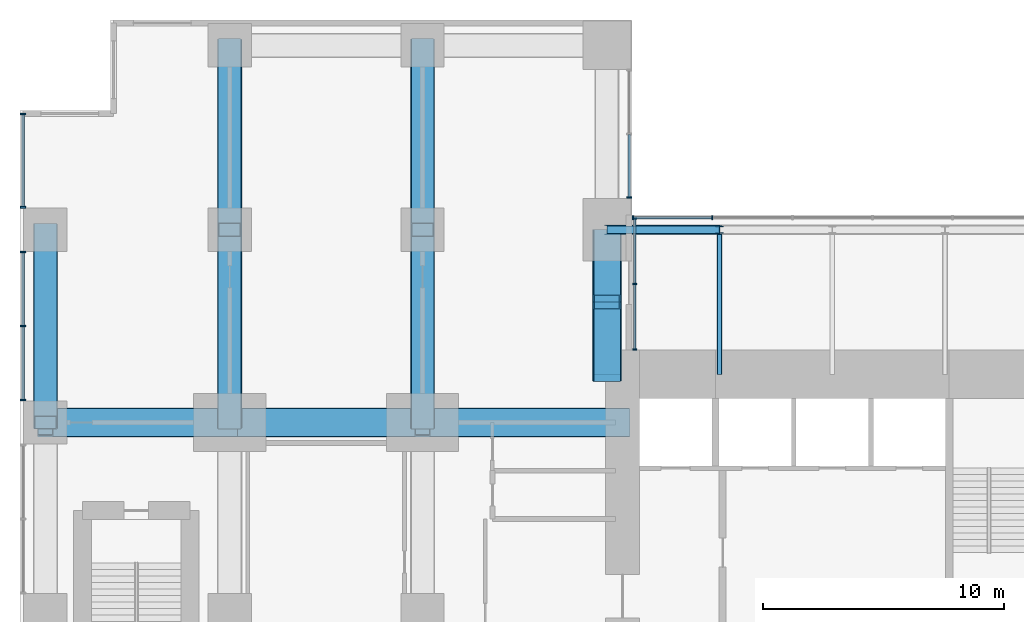
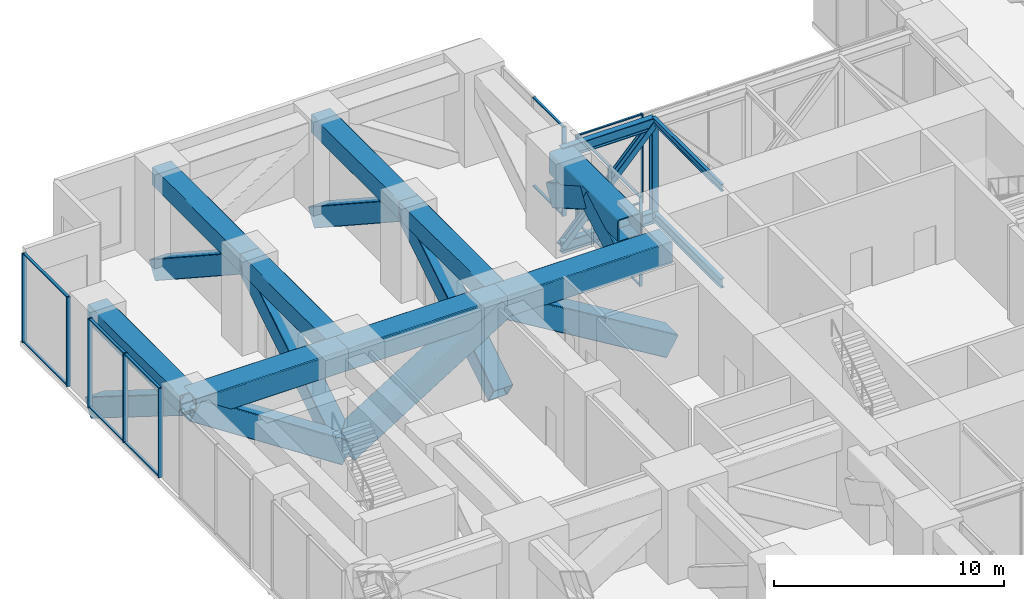
# One storey, part 7 of 19: 46 members, 4 beams, 5 elements without a shape of their own.
"""IFC4 building model written with IfcOpenShell, lengths in metres."""

from ifc_helpers import new_model, si_unit, direction, frame, origin, origin_2d, place, context, subcontext, project, spatial, rectangle, hollow_rectangle, i_section, extrude, material, layer, layer_set, material_profile, profile_set, type_object, element, aggregate, save


model = new_model("IFC4")

# Units and contexts
model_context = context("Model", 3, precision=1e-05, world=origin(), true_north=direction((0.0, 1.0)))
body_context = subcontext(model_context, "Body", "Model", "MODEL_VIEW")
ifc_project = project(units=[si_unit("LENGTHUNIT", "METRE"), si_unit("AREAUNIT", "SQUARE_METRE"), si_unit("VOLUMEUNIT", "CUBIC_METRE"), si_unit("PLANEANGLEUNIT", "RADIAN"), si_unit("MASSUNIT", "GRAM", prefix="KILO")], contexts=[model_context])

# Site, building, storey
site_placement = place(None, origin())
site = spatial("IfcSite", under=ifc_project, at=site_placement, CompositionType="ELEMENT")
building_placement = place(site_placement, origin())
building = spatial("IfcBuilding", under=site, at=building_placement, Name="Cleftline Residences", CompositionType="ELEMENT")
storey_placement = place(building_placement, frame((0.0, 0.0, 177.199951171875)))
storey = spatial("IfcBuildingStorey", under=building, at=storey_placement, Name="L46", CompositionType="ELEMENT", Elevation=177.199951171875)

# Beams
ifc_material_1 = material(Name="Steel S355", Category="steel")
ifc_material_profile_1 = material_profile(ifc_material_1, i_section(OverallWidth=0.169921875, OverallDepth=0.360107421875, WebThickness=0.008056640625, FlangeThickness=0.0126953125, FilletRadius=0.01806640625, at=origin_2d()))
ifc_profile_set_1 = profile_set([ifc_material_profile_1], Name="Steel S355")
beam_type_1 = type_object("IfcBeamType", Name="BEAM IPE 360", PredefinedType="BEAM", material=ifc_profile_set_1)
beam_1_placement = place(storey_placement, frame((28.324951171875, 40.0, 4.6201171875), z_axis=(0.0, -1.0, 0.0), x_axis=(1.0, 0.0, 0.0)))
element("IfcBeam", 1, at=beam_1_placement, inside=storey, type_object=beam_type_1, Name="Bridge roof beam", PredefinedType="BEAM", context=body_context, shape_type="SweptSolid", body=[
    extrude(i_section(OverallWidth=0.169921875, OverallDepth=0.360107421875, WebThickness=0.008056640625, FlangeThickness=0.0126953125, FilletRadius=0.01806640625, at=origin_2d()), origin(), (0.0, 0.0, 1.0), 6.0),
])
ifc_material_2 = material(Name="Steel S355", Category="steel")
ifc_material_profile_2 = material_profile(ifc_material_2, i_section(OverallWidth=0.199951171875, OverallDepth=0.5, WebThickness=0.01025390625, FlangeThickness=0.01611328125, FilletRadius=0.02099609375, at=origin_2d()))
ifc_profile_set_2 = profile_set([ifc_material_profile_2], Name="Steel S355")
beam_type_2 = type_object("IfcBeamType", Name="BEAM IPE 500", PredefinedType="BEAM", material=ifc_profile_set_2)
beam_2_placement = place(storey_placement, frame((28.324951171875, 40.0, -0.449951171875), z_axis=(0.0, -1.0, 0.0), x_axis=(1.0, 0.0, 0.0)))
element("IfcBeam", 2, at=beam_2_placement, inside=storey, type_object=beam_type_2, Name="Bridge floor beam", PredefinedType="BEAM", context=body_context, shape_type="SweptSolid", body=[
    extrude(i_section(OverallWidth=0.199951171875, OverallDepth=0.5, WebThickness=0.01025390625, FlangeThickness=0.01611328125, FilletRadius=0.02099609375, at=origin_2d()), origin(), (0.0, 0.0, 1.0), 6.0),
])

# Members
ifc_material_3 = material(Name="Steel S355", Category="steel")
ifc_material_profile_3 = material_profile(ifc_material_3, hollow_rectangle(XDim=1.0, YDim=1.0, WallThickness=0.0400390625, InnerFilletRadius=0.0400390625, OuterFilletRadius=0.06005859375, at=origin_2d()))
ifc_profile_set_3 = profile_set([ifc_material_profile_3], Name="Steel S355")
member_type_1 = type_object("IfcMemberType", Name="BRACE BOX 1000X1000X40", PredefinedType="BRACE", material=ifc_profile_set_3)
for number, where, z_axis, x_axis, name in (
    (3, (0.35009765625, 32.0, 4.25), (0.0, 0.847998304005, -0.529998940003), (0.0, 0.529998940003, 0.847998304005), "Belt truss diagonal"),
    (4, (8.0, 32.0, -0.75), (0.0, 0.847998304005, 0.529998940003), (0.0, -0.529998940003, 0.847998304005), "Belt truss diagonal"),
):
    element("IfcMember", number, at=place(storey_placement, frame(where, z_axis=z_axis, x_axis=x_axis)), inside=storey, type_object=member_type_1, Name=name, PredefinedType="BRACE", context=body_context, shape_type="SweptSolid", body=[
        extrude(hollow_rectangle(XDim=1.0, YDim=1.0, WallThickness=0.0400390625, InnerFilletRadius=0.0400390625, OuterFilletRadius=0.06005859375, at=origin_2d()), origin(), (0.0, 0.0, 1.0), 9.43408203125),
    ])
member_1_placement = place(storey_placement, frame((8.0, 40.0, 4.25), z_axis=(0.0, 0.837062783189, -0.547106842399), x_axis=(0.0, 0.547106842399, 0.837062783189)))
element("IfcMember", 5, at=member_1_placement, inside=storey, type_object=member_type_1, Name="Belt truss diagonal", PredefinedType="BRACE", context=body_context, shape_type="SweptSolid", body=[
    extrude(hollow_rectangle(XDim=1.0, YDim=1.0, WallThickness=0.0400390625, InnerFilletRadius=0.0400390625, OuterFilletRadius=0.06005859375, at=origin_2d()), origin(), (0.0, 0.0, 1.0), 9.138916015625),
])
member_2_placement = place(storey_placement, frame((16.0, 32.0, -0.75), z_axis=(0.0, 0.847998304005, 0.529998940003), x_axis=(0.0, -0.529998940003, 0.847998304005)))
element("IfcMember", 6, at=member_2_placement, inside=storey, type_object=member_type_1, Name="Belt truss diagonal", PredefinedType="BRACE", context=body_context, shape_type="SweptSolid", body=[
    extrude(hollow_rectangle(XDim=1.0, YDim=1.0, WallThickness=0.0400390625, InnerFilletRadius=0.0400390625, OuterFilletRadius=0.06005859375, at=origin_2d()), origin(), (0.0, 0.0, 1.0), 9.43408203125),
])
member_3_placement = place(storey_placement, frame((16.0, 40.0, 4.25), z_axis=(0.0, 0.837062783189, -0.547106842399), x_axis=(0.0, 0.547106842399, 0.837062783189)))
element("IfcMember", 7, at=member_3_placement, inside=storey, type_object=member_type_1, Name="Belt truss diagonal", PredefinedType="BRACE", context=body_context, shape_type="SweptSolid", body=[
    extrude(hollow_rectangle(XDim=1.0, YDim=1.0, WallThickness=0.0400390625, InnerFilletRadius=0.0400390625, OuterFilletRadius=0.06005859375, at=origin_2d()), origin(), (0.0, 0.0, 1.0), 9.138916015625),
])
ifc_material_4 = material(Name="Steel S355", Category="steel")
ifc_material_profile_4 = material_profile(ifc_material_4, hollow_rectangle(XDim=1.199951171875, YDim=1.199951171875, WallThickness=0.06005859375, InnerFilletRadius=0.06005859375, OuterFilletRadius=0.090087890625, at=origin_2d()))
ifc_profile_set_4 = profile_set([ifc_material_profile_4], Name="Steel S355")
member_type_2 = type_object("IfcMemberType", Name="BRACE BOX 1200X1200X60", PredefinedType="BRACE", material=ifc_profile_set_4)
member_4_placement = place(storey_placement, frame((24.300048828125, 32.0, -0.849853515625), z_axis=(-0.85658231387, 0.0, 0.51601040645), x_axis=(0.51601040645, 0.0, 0.85658231387)))
element("IfcMember", 8, at=member_4_placement, inside=storey, type_object=member_type_2, Name="Outrigger truss diagonal", PredefinedType="BRACE", context=body_context, shape_type="SweptSolid", body=[
    extrude(hollow_rectangle(XDim=1.199951171875, YDim=1.199951171875, WallThickness=0.06005859375, InnerFilletRadius=0.06005859375, OuterFilletRadius=0.090087890625, at=origin_2d()), origin(), (0.0, 0.0, 1.0), 9.689697265625),
])
member_5_placement = place(storey_placement, frame((16.0, 32.0, 4.150146484375), z_axis=(-0.847998304005, 0.0, -0.529998940003), x_axis=(-0.529998940003, 0.0, 0.847998304005)))
element("IfcMember", 9, at=member_5_placement, inside=storey, type_object=member_type_2, Name="Outrigger truss diagonal", PredefinedType="BRACE", context=body_context, shape_type="SweptSolid", body=[
    extrude(hollow_rectangle(XDim=1.199951171875, YDim=1.199951171875, WallThickness=0.06005859375, InnerFilletRadius=0.06005859375, OuterFilletRadius=0.090087890625, at=origin_2d()), origin(), (0.0, 0.0, 1.0), 9.43408203125),
])
member_6_placement = place(storey_placement, frame((8.0, 32.0, -0.849853515625), z_axis=(-0.837062783189, 0.0, 0.547106842399), x_axis=(0.547106842399, 0.0, 0.837062783189)))
element("IfcMember", 10, at=member_6_placement, inside=storey, type_object=member_type_2, Name="Outrigger truss diagonal", PredefinedType="BRACE", context=body_context, shape_type="SweptSolid", body=[
    extrude(hollow_rectangle(XDim=1.199951171875, YDim=1.199951171875, WallThickness=0.06005859375, InnerFilletRadius=0.06005859375, OuterFilletRadius=0.090087890625, at=origin_2d()), origin(), (0.0, 0.0, 1.0), 9.138916015625),
])
for number, where, z_axis, x_axis, name in (
    (11, (23.64990234375, 40.0, 2.43115234375), (0.0, -0.867655928929, 0.497165152636), (0.0, 0.497165152636, 0.867655928929), "Outrigger truss diagonal"),
    (12, (23.64990234375, 34.0, 2.43115234375), (0.0, 0.867655928929, 0.497165152636), (0.0, -0.497165152636, 0.867655928929), "Outrigger truss diagonal"),
):
    element("IfcMember", number, at=place(storey_placement, frame(where, z_axis=z_axis, x_axis=x_axis)), inside=storey, type_object=member_type_2, Name=name, PredefinedType="BRACE", context=body_context, shape_type="SweptSolid", body=[
        extrude(hollow_rectangle(XDim=1.199951171875, YDim=1.199951171875, WallThickness=0.06005859375, InnerFilletRadius=0.06005859375, OuterFilletRadius=0.090087890625, at=origin_2d()), origin(), (0.0, 0.0, 1.0), 3.45751953125),
    ])
ifc_material_5 = material(Name="Steel S355", Category="steel")
ifc_material_profile_5 = material_profile(ifc_material_5, i_section(OverallWidth=0.300048828125, OverallDepth=0.39990234375, WebThickness=0.013427734375, FlangeThickness=0.02392578125, FilletRadius=0.027099609375, at=origin_2d()))
ifc_profile_set_5 = profile_set([ifc_material_profile_5], Name="Steel S355")
member_type_3 = type_object("IfcMemberType", Name="BRACE HEB 400", PredefinedType="BRACE", material=ifc_profile_set_5)
member_7_placement = place(storey_placement, frame((23.64990234375, 40.0, -0.5), z_axis=(0.682972422419, 0.0, 0.730444159546), x_axis=(-0.730444159546, 0.0, 0.682972422419)))
element("IfcMember", 13, at=member_7_placement, inside=storey, type_object=member_type_3, Name="Sky bridge truss diagonal", PredefinedType="BRACE", context=body_context, shape_type="SweptSolid", body=[
    extrude(i_section(OverallWidth=0.300048828125, OverallDepth=0.39990234375, WebThickness=0.013427734375, FlangeThickness=0.02392578125, FilletRadius=0.027099609375, at=origin_2d()), origin(), (0.0, 0.0, 1.0), 6.84521484375),
])

# Beams
ifc_material_6 = material(Name="Steel S355", Category="steel")
ifc_material_profile_6 = material_profile(ifc_material_6, i_section(OverallWidth=0.300048828125, OverallDepth=0.60009765625, WebThickness=0.015380859375, FlangeThickness=0.030029296875, FilletRadius=0.027099609375, at=origin_2d()))
ifc_profile_set_6 = profile_set([ifc_material_profile_6], Name="Steel S355")
beam_type_3 = type_object("IfcBeamType", Name="BRIDGE CHORD HEB 600", PredefinedType="BEAM", material=ifc_profile_set_6)
for number, where, z_axis, x_axis, name in (
    (14, (23.64990234375, 40.0, -0.5), (1.0, 0.0, 0.0), (0.0, 1.0, 0.0), "Sky bridge truss bottom chord"),
    (15, (23.64990234375, 40.0, 4.5), (1.0, 0.0, 0.0), (0.0, 1.0, 0.0), "Sky bridge truss top chord"),
):
    element("IfcBeam", number, at=place(storey_placement, frame(where, z_axis=z_axis, x_axis=x_axis)), inside=storey, type_object=beam_type_3, Name=name, PredefinedType="BEAM", context=body_context, shape_type="SweptSolid", body=[
        extrude(i_section(OverallWidth=0.300048828125, OverallDepth=0.60009765625, WebThickness=0.015380859375, FlangeThickness=0.030029296875, FilletRadius=0.027099609375, at=origin_2d()), origin(), (0.0, 0.0, 1.0), 4.675048828125),
    ])

# Members
ifc_material_7 = material(Name="Steel S355", Category="steel")
ifc_material_profile_7 = material_profile(ifc_material_7, hollow_rectangle(XDim=1.0, YDim=1.0, WallThickness=0.0400390625, InnerFilletRadius=0.0400390625, OuterFilletRadius=0.06005859375, at=origin_2d()))
ifc_profile_set_7 = profile_set([ifc_material_profile_7], Name="Steel S355")
member_type_4 = type_object("IfcMemberType", Name="CHORD BOX 1000X1000X40", PredefinedType="CHORD", material=ifc_profile_set_7)
for number, where, z_axis, x_axis, name in (
    (16, (0.35009765625, 32.0, 4.25), (0.0, 1.0, 0.0), (-1.0, 0.0, 0.0), "Belt truss top chord"),
    (17, (8.0, 32.0, 4.25), (0.0, 1.0, 0.0), (-1.0, 0.0, 0.0), "Belt truss top chord"),
):
    element("IfcMember", number, at=place(storey_placement, frame(where, z_axis=z_axis, x_axis=x_axis)), inside=storey, type_object=member_type_4, Name=name, PredefinedType="CHORD", context=body_context, shape_type="SweptSolid", body=[
        extrude(hollow_rectangle(XDim=1.0, YDim=1.0, WallThickness=0.0400390625, InnerFilletRadius=0.0400390625, OuterFilletRadius=0.06005859375, at=origin_2d()), origin(), (0.0, 0.0, 1.0), 8.0),
    ])
member_8_placement = place(storey_placement, frame((8.0, 40.0, 4.25), z_axis=(0.0, 1.0, 0.0), x_axis=(-1.0, 0.0, 0.0)))
element("IfcMember", 18, at=member_8_placement, inside=storey, type_object=member_type_4, Name="Belt truss top chord", PredefinedType="CHORD", context=body_context, shape_type="SweptSolid", body=[
    extrude(hollow_rectangle(XDim=1.0, YDim=1.0, WallThickness=0.0400390625, InnerFilletRadius=0.0400390625, OuterFilletRadius=0.06005859375, at=origin_2d()), origin(), (0.0, 0.0, 1.0), 7.64990234375),
])
member_9_placement = place(storey_placement, frame((16.0, 32.0, 4.25), z_axis=(0.0, 1.0, 0.0), x_axis=(-1.0, 0.0, 0.0)))
element("IfcMember", 19, at=member_9_placement, inside=storey, type_object=member_type_4, Name="Belt truss top chord", PredefinedType="CHORD", context=body_context, shape_type="SweptSolid", body=[
    extrude(hollow_rectangle(XDim=1.0, YDim=1.0, WallThickness=0.0400390625, InnerFilletRadius=0.0400390625, OuterFilletRadius=0.06005859375, at=origin_2d()), origin(), (0.0, 0.0, 1.0), 8.0),
])
member_10_placement = place(storey_placement, frame((16.0, 40.0, 4.25), z_axis=(0.0, 1.0, 0.0), x_axis=(-1.0, 0.0, 0.0)))
element("IfcMember", 20, at=member_10_placement, inside=storey, type_object=member_type_4, Name="Belt truss top chord", PredefinedType="CHORD", context=body_context, shape_type="SweptSolid", body=[
    extrude(hollow_rectangle(XDim=1.0, YDim=1.0, WallThickness=0.0400390625, InnerFilletRadius=0.0400390625, OuterFilletRadius=0.06005859375, at=origin_2d()), origin(), (0.0, 0.0, 1.0), 7.64990234375),
])
ifc_material_8 = material(Name="Steel S355", Category="steel")
ifc_material_profile_8 = material_profile(ifc_material_8, hollow_rectangle(XDim=1.199951171875, YDim=1.199951171875, WallThickness=0.06005859375, InnerFilletRadius=0.06005859375, OuterFilletRadius=0.090087890625, at=origin_2d()))
ifc_profile_set_8 = profile_set([ifc_material_profile_8], Name="Steel S355")
member_type_5 = type_object("IfcMemberType", Name="CHORD BOX 1200X1200X60", PredefinedType="CHORD", material=ifc_profile_set_8)
member_11_placement = place(storey_placement, frame((24.300048828125, 32.0, 4.150146484375), z_axis=(-1.0, 0.0, 0.0), x_axis=(0.0, -1.0, 0.0)))
element("IfcMember", 21, at=member_11_placement, inside=storey, type_object=member_type_5, Name="Outrigger truss top chord", PredefinedType="CHORD", context=body_context, shape_type="SweptSolid", body=[
    extrude(hollow_rectangle(XDim=1.199951171875, YDim=1.199951171875, WallThickness=0.06005859375, InnerFilletRadius=0.06005859375, OuterFilletRadius=0.090087890625, at=origin_2d()), origin(), (0.0, 0.0, 1.0), 8.300048828125),
])
member_12_placement = place(storey_placement, frame((16.0, 32.0, 4.150146484375), z_axis=(-1.0, 0.0, 0.0), x_axis=(0.0, -1.0, 0.0)))
element("IfcMember", 22, at=member_12_placement, inside=storey, type_object=member_type_5, Name="Outrigger truss top chord", PredefinedType="CHORD", context=body_context, shape_type="SweptSolid", body=[
    extrude(hollow_rectangle(XDim=1.199951171875, YDim=1.199951171875, WallThickness=0.06005859375, InnerFilletRadius=0.06005859375, OuterFilletRadius=0.090087890625, at=origin_2d()), origin(), (0.0, 0.0, 1.0), 8.0),
])
member_13_placement = place(storey_placement, frame((8.0, 32.0, 4.150146484375), z_axis=(-1.0, 0.0, 0.0), x_axis=(0.0, -1.0, 0.0)))
element("IfcMember", 23, at=member_13_placement, inside=storey, type_object=member_type_5, Name="Outrigger truss top chord", PredefinedType="CHORD", context=body_context, shape_type="SweptSolid", body=[
    extrude(hollow_rectangle(XDim=1.199951171875, YDim=1.199951171875, WallThickness=0.06005859375, InnerFilletRadius=0.06005859375, OuterFilletRadius=0.090087890625, at=origin_2d()), origin(), (0.0, 0.0, 1.0), 7.64990234375),
])
member_14_placement = place(storey_placement, frame((23.64990234375, 40.0, 4.150146484375), z_axis=(0.0, -1.0, 0.0), x_axis=(1.0, 0.0, 0.0)))
element("IfcMember", 24, at=member_14_placement, inside=storey, type_object=member_type_5, Name="Outrigger truss top chord", PredefinedType="CHORD", context=body_context, shape_type="SweptSolid", body=[
    extrude(hollow_rectangle(XDim=1.199951171875, YDim=1.199951171875, WallThickness=0.06005859375, InnerFilletRadius=0.06005859375, OuterFilletRadius=0.090087890625, at=origin_2d()), origin(), (0.0, 0.0, 1.0), 6.0),
])

# Curtain wall, members
ifc_material_9 = material(Name="Aluminium framed curtain wall", Category="aluminium")
ifc_layer_1 = layer(ifc_material_9, 0.199951171875)
ifc_layer_set_1 = layer_set([ifc_layer_1], Name="CW1 CLEFT GLAZING")
curtain_wall_type_1 = type_object("IfcCurtainWallType", Name="CW1 CLEFT GLAZING", PredefinedType="NOTDEFINED", material=ifc_layer_set_1)
curtain_wall_1_placement = place(storey_placement, origin())
curtain_wall_1 = element("IfcCurtainWall", 25, at=curtain_wall_1_placement, inside=storey, type_object=curtain_wall_type_1, Name="Curtain wall CW1", PredefinedType="NOTDEFINED")
ifc_material_10 = material(Name="Aluminium mullion", Category="aluminium")
ifc_material_profile_9 = material_profile(ifc_material_10, rectangle(XDim=0.199951171875, YDim=0.06005859375, at=origin_2d()))
ifc_profile_set_9 = profile_set([ifc_material_profile_9], Name="Aluminium mullion")
member_type_6 = type_object("IfcMemberType", Name="CW1 MULLION", PredefinedType="MULLION", material=ifc_profile_set_9)
member_15_placement = place(storey_placement, frame((24.574951171875, 41.330078125, 0.0), z_axis=(0.0, 0.0, 1.0), x_axis=(-1.0, 0.0, 0.0)))
member_15 = element("IfcMember", 26, at=member_15_placement, type_object=member_type_6, Name="CW1 mullion 1", PredefinedType="MULLION", context=body_context, shape_type="SweptSolid", body=[
    extrude(rectangle(XDim=0.199951171875, YDim=0.06005859375, at=origin_2d()), origin(), (0.0, 0.0, 1.0), 4.75),
])
ifc_material_11 = material(Name="Aluminium transom", Category="aluminium")
ifc_material_profile_10 = material_profile(ifc_material_11, rectangle(XDim=0.1201171875, YDim=0.06005859375, at=origin_2d()))
ifc_profile_set_10 = profile_set([ifc_material_profile_10], Name="Aluminium transom")
member_type_7 = type_object("IfcMemberType", Name="CW1 TRANSOM", PredefinedType="USERDEFINED", material=ifc_profile_set_10)
member_16_placement = place(storey_placement, frame((24.574951171875, 41.360107421875, 0.030029296875), z_axis=(0.0, 1.0, 0.0), x_axis=(-1.0, 0.0, 0.0)))
member_16 = element("IfcMember", 27, at=member_16_placement, type_object=member_type_7, Name="CW1 transom 1.1", ObjectType="TRANSOM", PredefinedType="USERDEFINED", context=body_context, shape_type="SweptSolid", body=[
    extrude(rectangle(XDim=0.1201171875, YDim=0.06005859375, at=origin_2d()), origin(), (0.0, 0.0, 1.0), 2.5849609375),
])
member_17_placement = place(storey_placement, frame((24.574951171875, 41.360107421875, 4.719970703125), z_axis=(0.0, 1.0, 0.0), x_axis=(-1.0, 0.0, 0.0)))
member_17 = element("IfcMember", 28, at=member_17_placement, type_object=member_type_7, Name="CW1 transom 1.2", ObjectType="TRANSOM", PredefinedType="USERDEFINED", context=body_context, shape_type="SweptSolid", body=[
    extrude(rectangle(XDim=0.1201171875, YDim=0.06005859375, at=origin_2d()), origin(), (0.0, 0.0, 1.0), 2.5849609375),
])
aggregate(curtain_wall_1, [member_15, member_16, member_17])

ifc_material_12 = material(Name="Aluminium framed curtain wall", Category="aluminium")
ifc_layer_2 = layer(ifc_material_12, 0.199951171875)
ifc_layer_set_2 = layer_set([ifc_layer_2], Name="CW3 BRIDGE GLAZING")
curtain_wall_type_2 = type_object("IfcCurtainWallType", Name="CW3 BRIDGE GLAZING", PredefinedType="NOTDEFINED", material=ifc_layer_set_2)
curtain_wall_2_placement = place(storey_placement, origin())
curtain_wall_2 = element("IfcCurtainWall", 29, at=curtain_wall_2_placement, inside=storey, type_object=curtain_wall_type_2, Name="Curtain wall CW3", PredefinedType="NOTDEFINED")
ifc_material_13 = material(Name="Aluminium mullion", Category="aluminium")
ifc_material_profile_11 = material_profile(ifc_material_13, rectangle(XDim=0.159912109375, YDim=0.06005859375, at=origin_2d()))
ifc_profile_set_11 = profile_set([ifc_material_profile_11], Name="Aluminium mullion")
member_type_8 = type_object("IfcMemberType", Name="CW3 MULLION", PredefinedType="MULLION", material=ifc_profile_set_11)
member_18_placement = place(storey_placement, frame((28.02001953125, 40.5, 0.0), z_axis=(0.0, 0.0, 1.0), x_axis=(0.0, -1.0, 0.0)))
member_18 = element("IfcMember", 30, at=member_18_placement, type_object=member_type_8, Name="CW3 mullion 5", PredefinedType="MULLION", context=body_context, shape_type="SweptSolid", body=[
    extrude(rectangle(XDim=0.159912109375, YDim=0.06005859375, at=origin_2d()), origin(), (0.0, 0.0, 1.0), 4.75),
])
member_19_placement = place(storey_placement, frame((24.72998046875, 40.5, 0.0), z_axis=(0.0, 0.0, 1.0), x_axis=(0.0, -1.0, 0.0)))
member_19 = element("IfcMember", 31, at=member_19_placement, type_object=member_type_8, Name="CW3 mullion 6", PredefinedType="MULLION", context=body_context, shape_type="SweptSolid", body=[
    extrude(rectangle(XDim=0.159912109375, YDim=0.06005859375, at=origin_2d()), origin(), (0.0, 0.0, 1.0), 4.75),
])

curtain_wall_3_placement = place(storey_placement, origin())
curtain_wall_3 = element("IfcCurtainWall", 32, at=curtain_wall_3_placement, inside=storey, type_object=curtain_wall_type_2, Name="Curtain wall CW3", PredefinedType="NOTDEFINED")
member_20_placement = place(storey_placement, frame((24.800048828125, 35.030029296875, 0.0), z_axis=(0.0, 0.0, 1.0), x_axis=(-1.0, 0.0, 0.0)))
member_20 = element("IfcMember", 33, at=member_20_placement, type_object=member_type_8, Name="CW3 mullion 1", PredefinedType="MULLION", context=body_context, shape_type="SweptSolid", body=[
    extrude(rectangle(XDim=0.159912109375, YDim=0.06005859375, at=origin_2d()), origin(), (0.0, 0.0, 1.0), 4.75),
])
member_21_placement = place(storey_placement, frame((24.800048828125, 37.75, 0.0), z_axis=(0.0, 0.0, 1.0), x_axis=(-1.0, 0.0, 0.0)))
member_21 = element("IfcMember", 34, at=member_21_placement, type_object=member_type_8, Name="CW3 mullion 2", PredefinedType="MULLION", context=body_context, shape_type="SweptSolid", body=[
    extrude(rectangle(XDim=0.159912109375, YDim=0.06005859375, at=origin_2d()), origin(), (0.0, 0.0, 1.0), 4.75),
])
member_22_placement = place(storey_placement, frame((24.800048828125, 40.469970703125, 0.0), z_axis=(0.0, 0.0, 1.0), x_axis=(-1.0, 0.0, 0.0)))
member_22 = element("IfcMember", 35, at=member_22_placement, type_object=member_type_8, Name="CW3 mullion 3", PredefinedType="MULLION", context=body_context, shape_type="SweptSolid", body=[
    extrude(rectangle(XDim=0.159912109375, YDim=0.06005859375, at=origin_2d()), origin(), (0.0, 0.0, 1.0), 4.75),
])

# Member
ifc_material_14 = material(Name="Aluminium transom", Category="aluminium")
ifc_material_profile_12 = material_profile(ifc_material_14, rectangle(XDim=0.095947265625, YDim=0.06005859375, at=origin_2d()))
ifc_profile_set_12 = profile_set([ifc_material_profile_12], Name="Aluminium transom")
member_type_9 = type_object("IfcMemberType", Name="CW3 TRANSOM", PredefinedType="USERDEFINED", material=ifc_profile_set_12)
member_23_placement = place(storey_placement, frame((27.989990234375, 40.5, 0.030029296875), z_axis=(-1.0, 0.0, 0.0), x_axis=(0.0, -1.0, 0.0)))
member_23 = element("IfcMember", 36, at=member_23_placement, type_object=member_type_9, Name="CW3 transom 5.1", ObjectType="TRANSOM", PredefinedType="USERDEFINED", context=body_context, shape_type="SweptSolid", body=[
    extrude(rectangle(XDim=0.095947265625, YDim=0.06005859375, at=origin_2d()), origin(), (0.0, 0.0, 1.0), 3.22998046875),
])

member_24_placement = place(storey_placement, frame((27.989990234375, 40.5, 4.719970703125), z_axis=(-1.0, 0.0, 0.0), x_axis=(0.0, -1.0, 0.0)))
member_24 = element("IfcMember", 37, at=member_24_placement, type_object=member_type_9, Name="CW3 transom 5.2", ObjectType="TRANSOM", PredefinedType="USERDEFINED", context=body_context, shape_type="SweptSolid", body=[
    extrude(rectangle(XDim=0.095947265625, YDim=0.06005859375, at=origin_2d()), origin(), (0.0, 0.0, 1.0), 3.22998046875),
])

aggregate(curtain_wall_2, [member_18, member_19, member_23, member_24])

member_25_placement = place(storey_placement, frame((24.800048828125, 35.06005859375, 0.030029296875), z_axis=(0.0, 1.0, 0.0), x_axis=(-1.0, 0.0, 0.0)))
member_25 = element("IfcMember", 38, at=member_25_placement, type_object=member_type_9, Name="CW3 transom 1.1", ObjectType="TRANSOM", PredefinedType="USERDEFINED", context=body_context, shape_type="SweptSolid", body=[
    extrude(rectangle(XDim=0.095947265625, YDim=0.06005859375, at=origin_2d()), origin(), (0.0, 0.0, 1.0), 2.659912109375),
])

member_26_placement = place(storey_placement, frame((24.800048828125, 35.06005859375, 4.719970703125), z_axis=(0.0, 1.0, 0.0), x_axis=(-1.0, 0.0, 0.0)))
member_26 = element("IfcMember", 39, at=member_26_placement, type_object=member_type_9, Name="CW3 transom 1.2", ObjectType="TRANSOM", PredefinedType="USERDEFINED", context=body_context, shape_type="SweptSolid", body=[
    extrude(rectangle(XDim=0.095947265625, YDim=0.06005859375, at=origin_2d()), origin(), (0.0, 0.0, 1.0), 2.659912109375),
])

member_27_placement = place(storey_placement, frame((24.800048828125, 37.780029296875, 0.030029296875), z_axis=(0.0, 1.0, 0.0), x_axis=(-1.0, 0.0, 0.0)))
member_27 = element("IfcMember", 40, at=member_27_placement, type_object=member_type_9, Name="CW3 transom 2.1", ObjectType="TRANSOM", PredefinedType="USERDEFINED", context=body_context, shape_type="SweptSolid", body=[
    extrude(rectangle(XDim=0.095947265625, YDim=0.06005859375, at=origin_2d()), origin(), (0.0, 0.0, 1.0), 2.659912109375),
])

member_28_placement = place(storey_placement, frame((24.800048828125, 37.780029296875, 4.719970703125), z_axis=(0.0, 1.0, 0.0), x_axis=(-1.0, 0.0, 0.0)))
member_28 = element("IfcMember", 41, at=member_28_placement, type_object=member_type_9, Name="CW3 transom 2.2", ObjectType="TRANSOM", PredefinedType="USERDEFINED", context=body_context, shape_type="SweptSolid", body=[
    extrude(rectangle(XDim=0.095947265625, YDim=0.06005859375, at=origin_2d()), origin(), (0.0, 0.0, 1.0), 2.659912109375),
])

aggregate(curtain_wall_3, [member_20, member_21, member_22, member_25, member_26, member_27, member_28])

# Curtain wall, members
ifc_material_15 = material(Name="Aluminium framed curtain wall", Category="aluminium")
ifc_layer_3 = layer(ifc_material_15, 0.199951171875)
ifc_layer_set_3 = layer_set([ifc_layer_3], Name="CW4 SKY LOUNGE GLAZING")
curtain_wall_type_3 = type_object("IfcCurtainWallType", Name="CW4 SKY LOUNGE GLAZING", PredefinedType="NOTDEFINED", material=ifc_layer_set_3)
curtain_wall_4_placement = place(storey_placement, origin())
curtain_wall_4 = element("IfcCurtainWall", 42, at=curtain_wall_4_placement, inside=storey, type_object=curtain_wall_type_3, Name="Curtain wall CW4", PredefinedType="NOTDEFINED")
ifc_material_16 = material(Name="Aluminium mullion", Category="aluminium")
ifc_material_profile_13 = material_profile(ifc_material_16, rectangle(XDim=0.219970703125, YDim=0.06494140625, at=origin_2d()))
ifc_profile_set_13 = profile_set([ifc_material_profile_13], Name="Aluminium mullion")
member_type_10 = type_object("IfcMemberType", Name="CW4 MULLION", PredefinedType="MULLION", material=ifc_profile_set_13)
member_29_placement = place(storey_placement, frame((-0.574951171875, 44.79248046875, 0.0), z_axis=(0.0, 0.0, 1.0), x_axis=(1.0, 0.0, 0.0)))
member_29 = element("IfcMember", 43, at=member_29_placement, type_object=member_type_10, Name="CW4 mullion 1", PredefinedType="MULLION", context=body_context, shape_type="SweptSolid", body=[
    extrude(rectangle(XDim=0.219970703125, YDim=0.06494140625, at=origin_2d()), origin(), (0.0, 0.0, 1.0), 4.75),
])
member_30_placement = place(storey_placement, frame((-0.574951171875, 40.9326171875, 0.0), z_axis=(0.0, 0.0, 1.0), x_axis=(1.0, 0.0, 0.0)))
member_30 = element("IfcMember", 44, at=member_30_placement, type_object=member_type_10, Name="CW4 mullion 2", PredefinedType="MULLION", context=body_context, shape_type="SweptSolid", body=[
    extrude(rectangle(XDim=0.219970703125, YDim=0.06494140625, at=origin_2d()), origin(), (0.0, 0.0, 1.0), 4.75),
])

curtain_wall_5_placement = place(storey_placement, origin())
curtain_wall_5 = element("IfcCurtainWall", 45, at=curtain_wall_5_placement, inside=storey, type_object=curtain_wall_type_3, Name="Curtain wall CW4", PredefinedType="NOTDEFINED")
member_31_placement = place(storey_placement, frame((-0.574951171875, 39.0673828125, 0.0), z_axis=(0.0, 0.0, 1.0), x_axis=(1.0, 0.0, 0.0)))
member_31 = element("IfcMember", 46, at=member_31_placement, type_object=member_type_10, Name="CW4 mullion 1", PredefinedType="MULLION", context=body_context, shape_type="SweptSolid", body=[
    extrude(rectangle(XDim=0.219970703125, YDim=0.06494140625, at=origin_2d()), origin(), (0.0, 0.0, 1.0), 4.75),
])
member_32_placement = place(storey_placement, frame((-0.574951171875, 36.0, 0.0), z_axis=(0.0, 0.0, 1.0), x_axis=(1.0, 0.0, 0.0)))
member_32 = element("IfcMember", 47, at=member_32_placement, type_object=member_type_10, Name="CW4 mullion 2", PredefinedType="MULLION", context=body_context, shape_type="SweptSolid", body=[
    extrude(rectangle(XDim=0.219970703125, YDim=0.06494140625, at=origin_2d()), origin(), (0.0, 0.0, 1.0), 4.75),
])
member_33_placement = place(storey_placement, frame((-0.574951171875, 32.9326171875, 0.0), z_axis=(0.0, 0.0, 1.0), x_axis=(1.0, 0.0, 0.0)))
member_33 = element("IfcMember", 48, at=member_33_placement, type_object=member_type_10, Name="CW4 mullion 3", PredefinedType="MULLION", context=body_context, shape_type="SweptSolid", body=[
    extrude(rectangle(XDim=0.219970703125, YDim=0.06494140625, at=origin_2d()), origin(), (0.0, 0.0, 1.0), 4.75),
])

# Member
ifc_material_17 = material(Name="Aluminium transom", Category="aluminium")
ifc_material_profile_14 = material_profile(ifc_material_17, rectangle(XDim=0.132080078125, YDim=0.06494140625, at=origin_2d()))
ifc_profile_set_14 = profile_set([ifc_material_profile_14], Name="Aluminium transom")
member_type_11 = type_object("IfcMemberType", Name="CW4 TRANSOM", PredefinedType="USERDEFINED", material=ifc_profile_set_14)
member_34_placement = place(storey_placement, frame((-0.574951171875, 44.760009765625, 0.032470703125), z_axis=(0.0, -1.0, 0.0), x_axis=(1.0, 0.0, 0.0)))
member_34 = element("IfcMember", 49, at=member_34_placement, type_object=member_type_11, Name="CW4 transom 1.1", ObjectType="TRANSOM", PredefinedType="USERDEFINED", context=body_context, shape_type="SweptSolid", body=[
    extrude(rectangle(XDim=0.132080078125, YDim=0.06494140625, at=origin_2d()), origin(), (0.0, 0.0, 1.0), 3.794921875),
])

member_35_placement = place(storey_placement, frame((-0.574951171875, 44.760009765625, 4.717529296875), z_axis=(0.0, -1.0, 0.0), x_axis=(1.0, 0.0, 0.0)))
member_35 = element("IfcMember", 50, at=member_35_placement, type_object=member_type_11, Name="CW4 transom 1.2", ObjectType="TRANSOM", PredefinedType="USERDEFINED", context=body_context, shape_type="SweptSolid", body=[
    extrude(rectangle(XDim=0.132080078125, YDim=0.06494140625, at=origin_2d()), origin(), (0.0, 0.0, 1.0), 3.794921875),
])

aggregate(curtain_wall_4, [member_29, member_30, member_34, member_35])

member_36_placement = place(storey_placement, frame((-0.574951171875, 39.034912109375, 0.032470703125), z_axis=(0.0, -1.0, 0.0), x_axis=(1.0, 0.0, 0.0)))
member_36 = element("IfcMember", 51, at=member_36_placement, type_object=member_type_11, Name="CW4 transom 1.1", ObjectType="TRANSOM", PredefinedType="USERDEFINED", context=body_context, shape_type="SweptSolid", body=[
    extrude(rectangle(XDim=0.132080078125, YDim=0.06494140625, at=origin_2d()), origin(), (0.0, 0.0, 1.0), 3.00244140625),
])

member_37_placement = place(storey_placement, frame((-0.574951171875, 39.034912109375, 4.717529296875), z_axis=(0.0, -1.0, 0.0), x_axis=(1.0, 0.0, 0.0)))
member_37 = element("IfcMember", 52, at=member_37_placement, type_object=member_type_11, Name="CW4 transom 1.2", ObjectType="TRANSOM", PredefinedType="USERDEFINED", context=body_context, shape_type="SweptSolid", body=[
    extrude(rectangle(XDim=0.132080078125, YDim=0.06494140625, at=origin_2d()), origin(), (0.0, 0.0, 1.0), 3.00244140625),
])

member_38_placement = place(storey_placement, frame((-0.574951171875, 35.967529296875, 0.032470703125), z_axis=(0.0, -1.0, 0.0), x_axis=(1.0, 0.0, 0.0)))
member_38 = element("IfcMember", 53, at=member_38_placement, type_object=member_type_11, Name="CW4 transom 2.1", ObjectType="TRANSOM", PredefinedType="USERDEFINED", context=body_context, shape_type="SweptSolid", body=[
    extrude(rectangle(XDim=0.132080078125, YDim=0.06494140625, at=origin_2d()), origin(), (0.0, 0.0, 1.0), 3.00244140625),
])

member_39_placement = place(storey_placement, frame((-0.574951171875, 35.967529296875, 4.717529296875), z_axis=(0.0, -1.0, 0.0), x_axis=(1.0, 0.0, 0.0)))
member_39 = element("IfcMember", 54, at=member_39_placement, type_object=member_type_11, Name="CW4 transom 2.2", ObjectType="TRANSOM", PredefinedType="USERDEFINED", context=body_context, shape_type="SweptSolid", body=[
    extrude(rectangle(XDim=0.132080078125, YDim=0.06494140625, at=origin_2d()), origin(), (0.0, 0.0, 1.0), 3.00244140625),
])

aggregate(curtain_wall_5, [member_31, member_32, member_33, member_36, member_37, member_38, member_39])

ifc_material_18 = material(Name="Steel S355", Category="steel")
ifc_material_profile_15 = material_profile(ifc_material_18, i_section(OverallWidth=0.300048828125, OverallDepth=0.300048828125, WebThickness=0.010986328125, FlangeThickness=0.01904296875, FilletRadius=0.027099609375, at=origin_2d()))
ifc_profile_set_15 = profile_set([ifc_material_profile_15], Name="Steel S355")
member_type_12 = type_object("IfcMemberType", Name="POST HEB 300", PredefinedType="POST", material=ifc_profile_set_15)
member_40_placement = place(storey_placement, frame((28.324951171875, 40.0, -0.5), z_axis=(0.0, 0.0, 1.0), x_axis=(1.0, 0.0, 0.0)))
element("IfcMember", 55, at=member_40_placement, inside=storey, type_object=member_type_12, Name="Sky bridge truss post", PredefinedType="POST", context=body_context, shape_type="SweptSolid", body=[
    extrude(i_section(OverallWidth=0.300048828125, OverallDepth=0.300048828125, WebThickness=0.010986328125, FlangeThickness=0.01904296875, FilletRadius=0.027099609375, at=origin_2d()), origin(), (0.0, 0.0, 1.0), 5.0),
])

save(model, "model.ifc")
